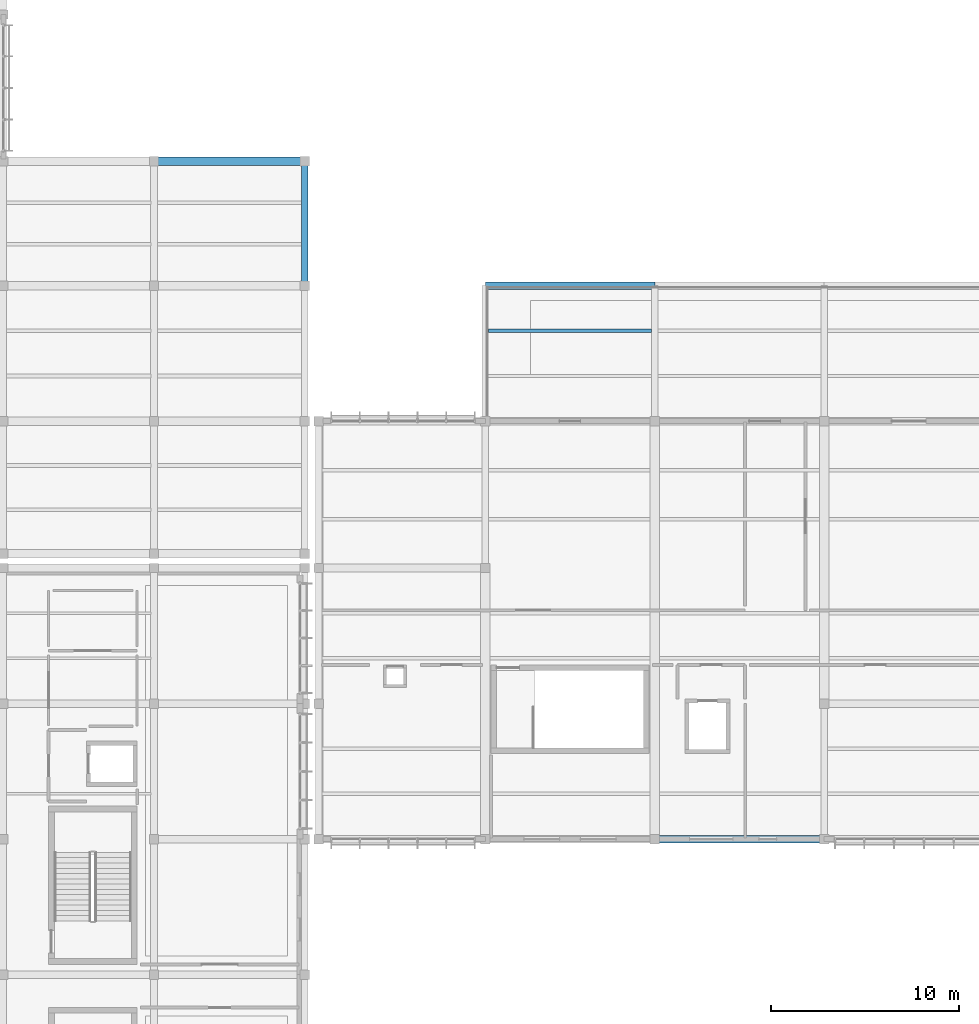
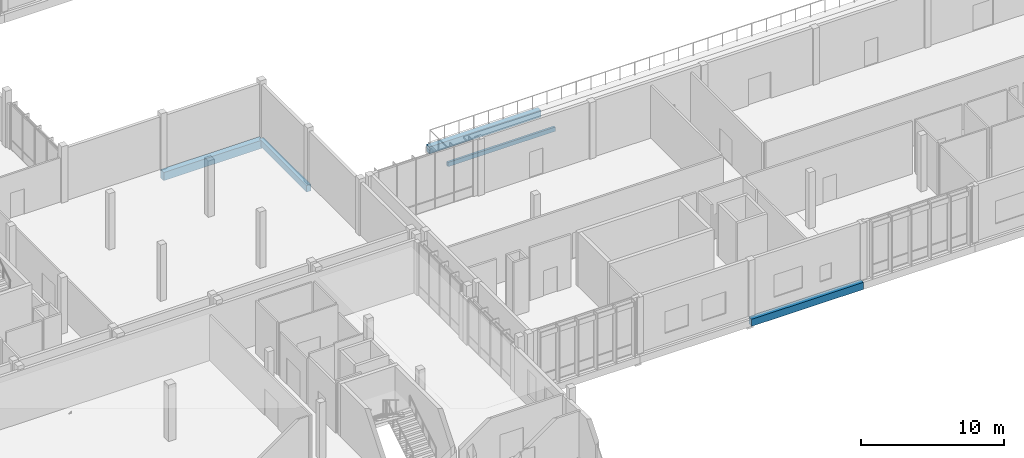
# One storey, part 44 of 177: 5 beams.
"""IFC4 building model written with IfcOpenShell, lengths in metres."""

from ifc_helpers import new_model, si_unit, direction, frame, origin, origin_2d, place, context, subcontext, project, spatial, rectangle, extrude, material, material_profile, profile_set, type_object, element, save


model = new_model("IFC4")

# Units and contexts
model_context = context("Model", 3, precision=1e-05, world=origin(), true_north=direction((0.0, 1.0)))
body_context = subcontext(model_context, "Body", "Model", "MODEL_VIEW")
ifc_project = project(units=[si_unit("LENGTHUNIT", "METRE"), si_unit("AREAUNIT", "SQUARE_METRE"), si_unit("VOLUMEUNIT", "CUBIC_METRE"), si_unit("PLANEANGLEUNIT", "RADIAN"), si_unit("MASSUNIT", "GRAM", prefix="KILO")], contexts=[model_context])

# Site, building, storey
site_placement = place(None, origin())
site = spatial("IfcSite", under=ifc_project, at=site_placement, CompositionType="ELEMENT")
building_placement = place(site_placement, origin())
building = spatial("IfcBuilding", under=site, at=building_placement, Name="Chiffa Square Polytechnic", CompositionType="ELEMENT")
storey_placement = place(building_placement, frame((0.0, 0.0, 4.800048828125)))
storey = spatial("IfcBuildingStorey", under=building, at=storey_placement, Name="L01", CompositionType="ELEMENT", Elevation=4.800048828125)

# Beams
ifc_material_1 = material(Name="Concrete C35/45", Category="concrete")
ifc_material_profile_1 = material_profile(ifc_material_1, rectangle(XDim=0.35009765625, YDim=0.550048828125, at=origin_2d()), Name="RC 350x550")
ifc_profile_set_1 = profile_set([ifc_material_profile_1], Name="Concrete C35/45")
beam_type_1 = type_object("IfcBeamType", Name="BM-RC-350X550", PredefinedType="BEAM", material=ifc_profile_set_1)
beam_1_placement = place(storey_placement, frame((48.0, 51.0, -0.554931640625), z_axis=(0.0, 1.0, 0.0), x_axis=(-1.0, 0.0, 0.0)))
element("IfcBeam", 1, at=beam_1_placement, inside=storey, type_object=beam_type_1, Name="Primary floor girder BM-V6-L01-Y-0480-0510", PredefinedType="BEAM", context=body_context, shape_type="SweptSolid", body=[
    extrude(rectangle(XDim=0.35009765625, YDim=0.550048828125, at=origin_2d()), origin(), (0.0, 0.0, 1.0), 6.60009765625),
])
ifc_material_profile_2 = material_profile(ifc_material_1, rectangle(XDim=0.39990234375, YDim=0.60009765625, at=origin_2d()), Name="RC 400x600")
ifc_profile_set_2 = profile_set([ifc_material_profile_2], Name="Concrete C35/45")
beam_type_2 = type_object("IfcBeamType", Name="BM-RC-400X600", PredefinedType="BEAM", material=ifc_profile_set_2)
for number, where, z_axis, x_axis, name in (
    (2, (66.60009765625, 21.60009765625, -0.580078125), (1.0, 0.0, 0.0), (0.0, 1.0, 0.0), "Primary floor girder BM-V4-L01-X-0666-0216"),
    (3, (57.60009765625, 51.0, -0.580078125), (1.0, 0.0, 0.0), (0.0, 1.0, 0.0), "Primary floor girder BM-V4-L01-X-0576-0510"),
):
    element("IfcBeam", number, at=place(storey_placement, frame(where, z_axis=z_axis, x_axis=x_axis)), inside=storey, type_object=beam_type_2, Name=name, PredefinedType="BEAM", context=body_context, shape_type="SweptSolid", body=[
        extrude(rectangle(XDim=0.39990234375, YDim=0.60009765625, at=origin_2d()), origin(), (0.0, 0.0, 1.0), 9.0),
    ])
ifc_material_profile_3 = material_profile(ifc_material_1, rectangle(XDim=0.449951171875, YDim=0.699951171875, at=origin_2d()), Name="RC 450x700")
ifc_profile_set_3 = profile_set([ifc_material_profile_3], Name="Concrete C35/45")
beam_type_3 = type_object("IfcBeamType", Name="BM-RC-450X700", PredefinedType="BEAM", material=ifc_profile_set_3)
beam_2_placement = place(storey_placement, frame((40.0, 57.60009765625, -0.630126953125), z_axis=(1.0, 0.0, 0.0), x_axis=(0.0, 1.0, 0.0)))
element("IfcBeam", 4, at=beam_2_placement, inside=storey, type_object=beam_type_3, Name="Primary floor girder BM-V6-L01-X-0400-0576", PredefinedType="BEAM", context=body_context, shape_type="SweptSolid", body=[
    extrude(rectangle(XDim=0.449951171875, YDim=0.699951171875, at=origin_2d()), origin(), (0.0, 0.0, 1.0), 8.0),
])
ifc_material_2 = material(Name="Glulam GL28h", Category="wood")
ifc_material_profile_4 = material_profile(ifc_material_2, rectangle(XDim=0.179931640625, YDim=0.360107421875, at=origin_2d()), Name="GL28h 180x360")
ifc_profile_set_4 = profile_set([ifc_material_profile_4], Name="Glulam GL28h")
beam_type_4 = type_object("IfcBeamType", Name="JST-GL-180X360", PredefinedType="JOIST", material=ifc_profile_set_4)
beam_3_placement = place(storey_placement, frame((57.77294921875, 48.60009765625, -0.4599609375), z_axis=(1.0, 0.0, 0.0), x_axis=(0.0, 1.0, 0.0)))
element("IfcBeam", 5, at=beam_3_placement, inside=storey, type_object=beam_type_4, Name="Secondary floor joist JST-V4-L01-0576-0486", PredefinedType="JOIST", context=body_context, shape_type="SweptSolid", body=[
    extrude(rectangle(XDim=0.179931640625, YDim=0.360107421875, at=origin_2d()), origin(), (0.0, 0.0, 1.0), 8.654052734375),
])

save(model, "model.ifc")
